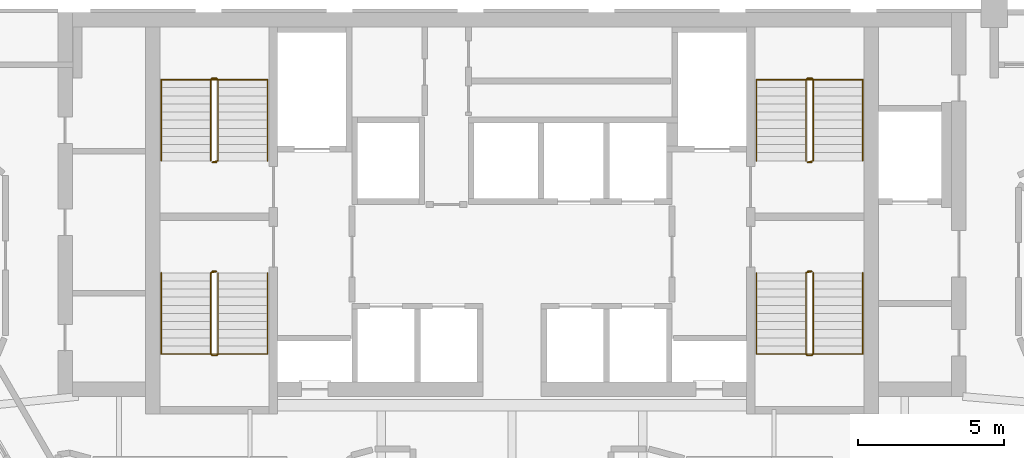
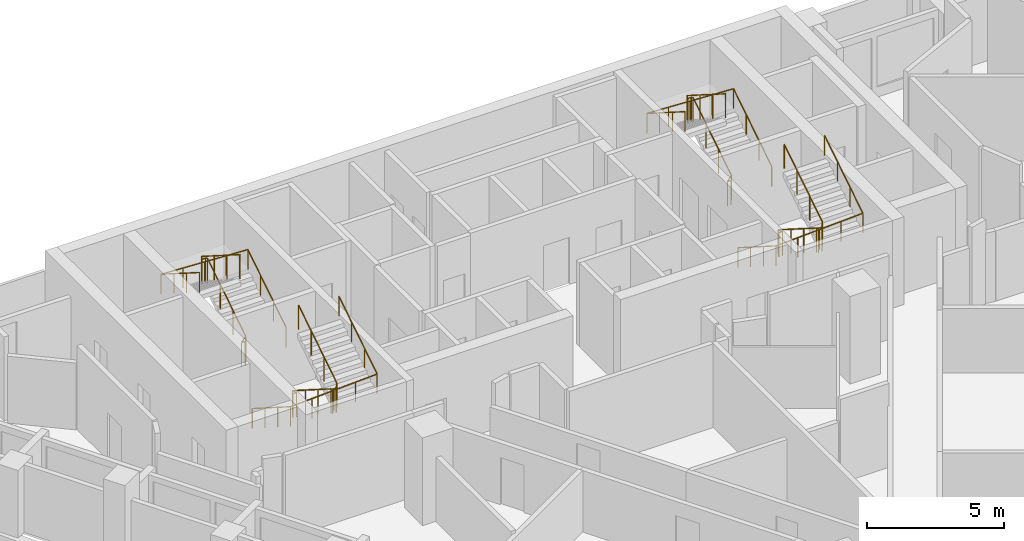
# One storey, part 10 of 10: 8 railings.
"""IFC4 building model written with IfcOpenShell, lengths in metres."""

from ifc_helpers import new_model, si_unit, direction, frame, origin, origin_2d, place, context, subcontext, project, spatial, circle, extrude, material, type_object, element, save


model = new_model("IFC4")

# Units and contexts
model_context = context("Model", 3, precision=1e-05, world=origin(), true_north=direction((0.0, 1.0)))
body_context = subcontext(model_context, "Body", "Model", "MODEL_VIEW")
ifc_project = project(units=[si_unit("LENGTHUNIT", "METRE"), si_unit("AREAUNIT", "SQUARE_METRE"), si_unit("VOLUMEUNIT", "CUBIC_METRE"), si_unit("PLANEANGLEUNIT", "RADIAN"), si_unit("MASSUNIT", "GRAM", prefix="KILO")], contexts=[model_context])

# Site, building, storey
site_placement = place(None, origin())
site = spatial("IfcSite", under=ifc_project, at=site_placement, CompositionType="ELEMENT")
building_placement = place(site_placement, origin())
building = spatial("IfcBuilding", under=site, at=building_placement, Name="Calabash Gate Tower", CompositionType="ELEMENT")
storey_placement = place(building_placement, frame((0.0, 0.0, 183.60009765625)))
storey = spatial("IfcBuildingStorey", under=building, at=storey_placement, Name="L43", CompositionType="ELEMENT", Elevation=183.60009765625)

# Railings
ifc_material_1 = material(Name="Black powder-coated steel balusters", Category="steel")
railing_type_1 = type_object("IfcRailingType", Name="Stair guard RL1100", PredefinedType="GUARDRAIL", material=ifc_material_1)
railing_1_placement = place(storey_placement, frame((-10.14990234375, 13.902587890625, 0.0)))
element("IfcRailing", 1, at=railing_1_placement, inside=storey, type_object=railing_type_1, Name="L43 ST1 stair guard 1", PredefinedType="GUARDRAIL", context=body_context, shape_type="SweptSolid", body=[
    extrude(circle(Radius=0.02392578125, at=origin_2d()), frame((0.0, 0.0, 1.076171875), z_axis=(-1.0, 0.0, 0.0), x_axis=(0.0, -1.0, 0.0)), (0.0, 0.0, 1.0), 0.150146484375),
    extrude(circle(Radius=0.02392578125, at=origin_2d()), frame((-0.150146484375, 0.0, 1.076171875), z_axis=(0.735524641326, 0.184105679453, 0.652003528208), x_axis=(-0.242814311512, 0.970072785993, 0.0)), (0.0, 0.0, 1.0), 0.271728515625),
    extrude(circle(Radius=0.02392578125, at=origin_2d()), frame((0.0498046875, 0.050048828125, 1.25341796875), z_axis=(0.0, 0.844041424197, 0.536277982245), x_axis=(-1.0, 0.0, 0.0)), (0.0, 0.0, 1.0), 3.3056640625),
    extrude(circle(Radius=0.02392578125, at=origin_2d()), frame((0.0498046875, 2.840087890625, 3.02587890625), z_axis=(-0.707106781187, 0.707106781187, 0.0), x_axis=(-0.707106781187, -0.707106781187, 0.0)), (0.0, 0.0, 1.0), 0.0703125),
    extrude(circle(Radius=0.02392578125, at=origin_2d()), frame((0.0, 2.889892578125, 3.02587890625), z_axis=(-1.0, 0.0, 0.0), x_axis=(0.0, -1.0, 0.0)), (0.0, 0.0, 1.0), 0.150146484375),
    extrude(circle(Radius=0.02392578125, at=origin_2d()), frame((-0.150146484375, 2.889892578125, 3.02587890625), z_axis=(-0.262321481514, -0.261041864531, 0.929001929653), x_axis=(0.705375805398, -0.708833529934, 0.0)), (0.0, 0.0, 1.0), 0.190673828125),
    extrude(circle(Radius=0.02392578125, at=origin_2d()), frame((-0.2001953125, 2.840087890625, 3.203125), z_axis=(0.0, -0.844041424197, 0.536277982245), x_axis=(1.0, 0.0, 0.0)), (0.0, 0.0, 1.0), 3.3056640625),
    extrude(circle(Radius=0.02099609375, at=origin_2d()), origin(), (0.0, 0.0, 1.0), 1.052001953125),
    extrude(circle(Radius=0.02099609375, at=origin_2d()), frame((-0.150146484375, 0.0, 0.0)), (0.0, 0.0, 1.0), 1.052001953125),
    extrude(circle(Radius=0.02099609375, at=origin_2d()), frame((0.0498046875, 0.050048828125, 0.17724609375)), (0.0, 0.0, 1.0), 1.052001953125),
    extrude(circle(Radius=0.02099609375, at=origin_2d()), frame((0.0498046875, 0.97998046875, 0.76806640625)), (0.0, 0.0, 1.0), 1.052001953125),
    extrude(circle(Radius=0.02099609375, at=origin_2d()), frame((0.0498046875, 1.91015625, 1.359130859375)), (0.0, 0.0, 1.0), 1.052001953125),
    extrude(circle(Radius=0.02099609375, at=origin_2d()), frame((0.0498046875, 2.840087890625, 1.949951171875)), (0.0, 0.0, 1.0), 1.052001953125),
    extrude(circle(Radius=0.02099609375, at=origin_2d()), frame((0.0, 2.889892578125, 1.949951171875)), (0.0, 0.0, 1.0), 1.052001953125),
    extrude(circle(Radius=0.02099609375, at=origin_2d()), frame((-0.150146484375, 2.889892578125, 1.949951171875)), (0.0, 0.0, 1.0), 1.052001953125),
    extrude(circle(Radius=0.02099609375, at=origin_2d()), frame((-0.2001953125, 2.840087890625, 2.127197265625)), (0.0, 0.0, 1.0), 1.052001953125),
    extrude(circle(Radius=0.02099609375, at=origin_2d()), frame((-0.2001953125, 1.91015625, 2.718017578125)), (0.0, 0.0, 1.0), 1.052001953125),
    extrude(circle(Radius=0.02099609375, at=origin_2d()), frame((-0.2001953125, 0.97998046875, 3.30908203125)), (0.0, 0.0, 1.0), 1.052001953125),
    extrude(circle(Radius=0.02099609375, at=origin_2d()), frame((-0.2001953125, 0.050048828125, 3.89990234375)), (0.0, 0.0, 1.0), 1.052001953125),
])
railing_2_placement = place(storey_placement, frame((-10.300048828125, 10.152587890625, 0.0)))
element("IfcRailing", 2, at=railing_2_placement, inside=storey, type_object=railing_type_1, Name="L43 ST2 stair guard 1", PredefinedType="GUARDRAIL", context=body_context, shape_type="SweptSolid", body=[
    extrude(circle(Radius=0.02392578125, at=origin_2d()), frame((0.0, 0.0, 1.076171875), z_axis=(1.0, 0.0, 0.0), x_axis=(0.0, 1.0, 0.0)), (0.0, 0.0, 1.0), 0.150146484375),
    extrude(circle(Radius=0.02392578125, at=origin_2d()), frame((0.150146484375, 0.0, 1.076171875), z_axis=(-0.735936453418, -0.183984113355, 0.651573006319), x_axis=(0.242535625036, -0.970142500145, 0.0)), (0.0, 0.0, 1.0), 0.27197265625),
    extrude(circle(Radius=0.02392578125, at=origin_2d()), frame((-0.050048828125, -0.050048828125, 1.25341796875), z_axis=(0.0, -0.844041424197, 0.536277982245), x_axis=(1.0, 0.0, 0.0)), (0.0, 0.0, 1.0), 3.3056640625),
    extrude(circle(Radius=0.02392578125, at=origin_2d()), frame((-0.050048828125, -2.840087890625, 3.02587890625), z_axis=(0.708833529934, -0.705375805398, 0.0), x_axis=(0.705375805398, 0.708833529934, 0.0)), (0.0, 0.0, 1.0), 0.070556640625),
    extrude(circle(Radius=0.02392578125, at=origin_2d()), frame((0.0, -2.889892578125, 3.02587890625), z_axis=(1.0, 0.0, 0.0), x_axis=(0.0, 1.0, 0.0)), (0.0, 0.0, 1.0), 0.150146484375),
    extrude(circle(Radius=0.02392578125, at=origin_2d()), frame((0.150146484375, -2.889892578125, 3.02587890625), z_axis=(0.261129318932, 0.261129318932, 0.929313164433), x_axis=(-0.707106781187, 0.707106781187, 0.0)), (0.0, 0.0, 1.0), 0.190673828125),
    extrude(circle(Radius=0.02392578125, at=origin_2d()), frame((0.199951171875, -2.840087890625, 3.203125), z_axis=(0.0, 0.844041424197, 0.536277982245), x_axis=(-1.0, 0.0, 0.0)), (0.0, 0.0, 1.0), 3.3056640625),
    extrude(circle(Radius=0.02099609375, at=origin_2d()), origin(), (0.0, 0.0, 1.0), 1.052001953125),
    extrude(circle(Radius=0.02099609375, at=origin_2d()), frame((0.150146484375, 0.0, 0.0)), (0.0, 0.0, 1.0), 1.052001953125),
    extrude(circle(Radius=0.02099609375, at=origin_2d()), frame((-0.050048828125, -0.050048828125, 0.17724609375)), (0.0, 0.0, 1.0), 1.052001953125),
    extrude(circle(Radius=0.02099609375, at=origin_2d()), frame((-0.050048828125, -0.97998046875, 0.76806640625)), (0.0, 0.0, 1.0), 1.052001953125),
    extrude(circle(Radius=0.02099609375, at=origin_2d()), frame((-0.050048828125, -1.91015625, 1.359130859375)), (0.0, 0.0, 1.0), 1.052001953125),
    extrude(circle(Radius=0.02099609375, at=origin_2d()), frame((-0.050048828125, -2.840087890625, 1.949951171875)), (0.0, 0.0, 1.0), 1.052001953125),
    extrude(circle(Radius=0.02099609375, at=origin_2d()), frame((0.0, -2.889892578125, 1.949951171875)), (0.0, 0.0, 1.0), 1.052001953125),
    extrude(circle(Radius=0.02099609375, at=origin_2d()), frame((0.150146484375, -2.889892578125, 1.949951171875)), (0.0, 0.0, 1.0), 1.052001953125),
    extrude(circle(Radius=0.02099609375, at=origin_2d()), frame((0.199951171875, -2.840087890625, 2.127197265625)), (0.0, 0.0, 1.0), 1.052001953125),
    extrude(circle(Radius=0.02099609375, at=origin_2d()), frame((0.199951171875, -1.91015625, 2.718017578125)), (0.0, 0.0, 1.0), 1.052001953125),
    extrude(circle(Radius=0.02099609375, at=origin_2d()), frame((0.199951171875, -0.97998046875, 3.30908203125)), (0.0, 0.0, 1.0), 1.052001953125),
    extrude(circle(Radius=0.02099609375, at=origin_2d()), frame((0.199951171875, -0.050048828125, 3.89990234375)), (0.0, 0.0, 1.0), 1.052001953125),
])
railing_3_placement = place(storey_placement, frame((10.300048828125, 13.902587890625, 0.0)))
element("IfcRailing", 3, at=railing_3_placement, inside=storey, type_object=railing_type_1, Name="L43 ST3 stair guard 1", PredefinedType="GUARDRAIL", context=body_context, shape_type="SweptSolid", body=[
    extrude(circle(Radius=0.02392578125, at=origin_2d()), frame((0.0, 0.0, 1.076171875), z_axis=(-1.0, 0.0, 0.0), x_axis=(0.0, -1.0, 0.0)), (0.0, 0.0, 1.0), 0.150146484375),
    extrude(circle(Radius=0.02392578125, at=origin_2d()), frame((-0.150146484375, 0.0, 1.076171875), z_axis=(0.735936453418, 0.183984113355, 0.651573006319), x_axis=(-0.242535625036, 0.970142500145, 0.0)), (0.0, 0.0, 1.0), 0.27197265625),
    extrude(circle(Radius=0.02392578125, at=origin_2d()), frame((0.050048828125, 0.050048828125, 1.25341796875), z_axis=(0.0, 0.844041424197, 0.536277982245), x_axis=(-1.0, 0.0, 0.0)), (0.0, 0.0, 1.0), 3.3056640625),
    extrude(circle(Radius=0.02392578125, at=origin_2d()), frame((0.050048828125, 2.840087890625, 3.02587890625), z_axis=(-0.708833529934, 0.705375805398, 0.0), x_axis=(-0.705375805398, -0.708833529934, 0.0)), (0.0, 0.0, 1.0), 0.070556640625),
    extrude(circle(Radius=0.02392578125, at=origin_2d()), frame((0.0, 2.889892578125, 3.02587890625), z_axis=(-1.0, 0.0, 0.0), x_axis=(0.0, -1.0, 0.0)), (0.0, 0.0, 1.0), 0.150146484375),
    extrude(circle(Radius=0.02392578125, at=origin_2d()), frame((-0.150146484375, 2.889892578125, 3.02587890625), z_axis=(-0.261129318932, -0.261129318932, 0.929313164433), x_axis=(0.707106781187, -0.707106781187, 0.0)), (0.0, 0.0, 1.0), 0.190673828125),
    extrude(circle(Radius=0.02392578125, at=origin_2d()), frame((-0.199951171875, 2.840087890625, 3.203125), z_axis=(0.0, -0.844041424197, 0.536277982245), x_axis=(1.0, 0.0, 0.0)), (0.0, 0.0, 1.0), 3.3056640625),
    extrude(circle(Radius=0.02099609375, at=origin_2d()), origin(), (0.0, 0.0, 1.0), 1.052001953125),
    extrude(circle(Radius=0.02099609375, at=origin_2d()), frame((-0.150146484375, 0.0, 0.0)), (0.0, 0.0, 1.0), 1.052001953125),
    extrude(circle(Radius=0.02099609375, at=origin_2d()), frame((0.050048828125, 0.050048828125, 0.17724609375)), (0.0, 0.0, 1.0), 1.052001953125),
    extrude(circle(Radius=0.02099609375, at=origin_2d()), frame((0.050048828125, 0.97998046875, 0.76806640625)), (0.0, 0.0, 1.0), 1.052001953125),
    extrude(circle(Radius=0.02099609375, at=origin_2d()), frame((0.050048828125, 1.91015625, 1.359130859375)), (0.0, 0.0, 1.0), 1.052001953125),
    extrude(circle(Radius=0.02099609375, at=origin_2d()), frame((0.050048828125, 2.840087890625, 1.949951171875)), (0.0, 0.0, 1.0), 1.052001953125),
    extrude(circle(Radius=0.02099609375, at=origin_2d()), frame((0.0, 2.889892578125, 1.949951171875)), (0.0, 0.0, 1.0), 1.052001953125),
    extrude(circle(Radius=0.02099609375, at=origin_2d()), frame((-0.150146484375, 2.889892578125, 1.949951171875)), (0.0, 0.0, 1.0), 1.052001953125),
    extrude(circle(Radius=0.02099609375, at=origin_2d()), frame((-0.199951171875, 2.840087890625, 2.127197265625)), (0.0, 0.0, 1.0), 1.052001953125),
    extrude(circle(Radius=0.02099609375, at=origin_2d()), frame((-0.199951171875, 1.91015625, 2.718017578125)), (0.0, 0.0, 1.0), 1.052001953125),
    extrude(circle(Radius=0.02099609375, at=origin_2d()), frame((-0.199951171875, 0.97998046875, 3.30908203125)), (0.0, 0.0, 1.0), 1.052001953125),
    extrude(circle(Radius=0.02099609375, at=origin_2d()), frame((-0.199951171875, 0.050048828125, 3.89990234375)), (0.0, 0.0, 1.0), 1.052001953125),
])
railing_4_placement = place(storey_placement, frame((10.14990234375, 10.152587890625, 0.0)))
element("IfcRailing", 4, at=railing_4_placement, inside=storey, type_object=railing_type_1, Name="L43 ST4 stair guard 1", PredefinedType="GUARDRAIL", context=body_context, shape_type="SweptSolid", body=[
    extrude(circle(Radius=0.02392578125, at=origin_2d()), frame((0.0, 0.0, 1.076171875), z_axis=(1.0, 0.0, 0.0), x_axis=(0.0, 1.0, 0.0)), (0.0, 0.0, 1.0), 0.150146484375),
    extrude(circle(Radius=0.02392578125, at=origin_2d()), frame((0.150146484375, 0.0, 1.076171875), z_axis=(-0.735524641326, -0.184105679453, 0.652003528208), x_axis=(0.242814311512, -0.970072785993, 0.0)), (0.0, 0.0, 1.0), 0.271728515625),
    extrude(circle(Radius=0.02392578125, at=origin_2d()), frame((-0.0498046875, -0.050048828125, 1.25341796875), z_axis=(0.0, -0.844041424197, 0.536277982245), x_axis=(1.0, 0.0, 0.0)), (0.0, 0.0, 1.0), 3.3056640625),
    extrude(circle(Radius=0.02392578125, at=origin_2d()), frame((-0.0498046875, -2.840087890625, 3.02587890625), z_axis=(0.707106781187, -0.707106781187, 0.0), x_axis=(0.707106781187, 0.707106781187, 0.0)), (0.0, 0.0, 1.0), 0.0703125),
    extrude(circle(Radius=0.02392578125, at=origin_2d()), frame((0.0, -2.889892578125, 3.02587890625), z_axis=(1.0, 0.0, 0.0), x_axis=(0.0, 1.0, 0.0)), (0.0, 0.0, 1.0), 0.150146484375),
    extrude(circle(Radius=0.02392578125, at=origin_2d()), frame((0.150146484375, -2.889892578125, 3.02587890625), z_axis=(0.262321481514, 0.261041864531, 0.929001929653), x_axis=(-0.705375805398, 0.708833529934, 0.0)), (0.0, 0.0, 1.0), 0.190673828125),
    extrude(circle(Radius=0.02392578125, at=origin_2d()), frame((0.2001953125, -2.840087890625, 3.203125), z_axis=(0.0, 0.844041424197, 0.536277982245), x_axis=(-1.0, 0.0, 0.0)), (0.0, 0.0, 1.0), 3.3056640625),
    extrude(circle(Radius=0.02099609375, at=origin_2d()), origin(), (0.0, 0.0, 1.0), 1.052001953125),
    extrude(circle(Radius=0.02099609375, at=origin_2d()), frame((0.150146484375, 0.0, 0.0)), (0.0, 0.0, 1.0), 1.052001953125),
    extrude(circle(Radius=0.02099609375, at=origin_2d()), frame((-0.0498046875, -0.050048828125, 0.17724609375)), (0.0, 0.0, 1.0), 1.052001953125),
    extrude(circle(Radius=0.02099609375, at=origin_2d()), frame((-0.0498046875, -0.97998046875, 0.76806640625)), (0.0, 0.0, 1.0), 1.052001953125),
    extrude(circle(Radius=0.02099609375, at=origin_2d()), frame((-0.0498046875, -1.91015625, 1.359130859375)), (0.0, 0.0, 1.0), 1.052001953125),
    extrude(circle(Radius=0.02099609375, at=origin_2d()), frame((-0.0498046875, -2.840087890625, 1.949951171875)), (0.0, 0.0, 1.0), 1.052001953125),
    extrude(circle(Radius=0.02099609375, at=origin_2d()), frame((0.0, -2.889892578125, 1.949951171875)), (0.0, 0.0, 1.0), 1.052001953125),
    extrude(circle(Radius=0.02099609375, at=origin_2d()), frame((0.150146484375, -2.889892578125, 1.949951171875)), (0.0, 0.0, 1.0), 1.052001953125),
    extrude(circle(Radius=0.02099609375, at=origin_2d()), frame((0.2001953125, -2.840087890625, 2.127197265625)), (0.0, 0.0, 1.0), 1.052001953125),
    extrude(circle(Radius=0.02099609375, at=origin_2d()), frame((0.2001953125, -1.91015625, 2.718017578125)), (0.0, 0.0, 1.0), 1.052001953125),
    extrude(circle(Radius=0.02099609375, at=origin_2d()), frame((0.2001953125, -0.97998046875, 3.30908203125)), (0.0, 0.0, 1.0), 1.052001953125),
    extrude(circle(Radius=0.02099609375, at=origin_2d()), frame((0.2001953125, -0.050048828125, 3.89990234375)), (0.0, 0.0, 1.0), 1.052001953125),
])
ifc_material_2 = material(Name="Black powder-coated steel tube 48 mm", Category="steel")
railing_type_2 = type_object("IfcRailingType", Name="Stair handrail RL900", PredefinedType="HANDRAIL", material=ifc_material_2)
railing_5_placement = place(storey_placement, frame((-8.39990234375, 13.95263671875, 0.17724609375)))
element("IfcRailing", 5, at=railing_5_placement, inside=storey, type_object=railing_type_2, Name="L43 ST1 stair handrail 1", PredefinedType="HANDRAIL", context=body_context, shape_type="SweptSolid", body=[
    extrude(circle(Radius=0.02392578125, at=origin_2d()), frame((0.0, 0.0, 0.8759765625), z_axis=(0.0, 0.844041424197, 0.536277982245), x_axis=(-1.0, 0.0, 0.0)), (0.0, 0.0, 1.0), 3.3056640625),
    extrude(circle(Radius=0.02392578125, at=origin_2d()), frame((0.0, 2.7900390625, 2.6484375), z_axis=(-0.998823110844, 0.0, 0.048501476722), x_axis=(0.0, -1.0, 0.0)), (0.0, 0.0, 1.0), 3.654541015625),
    extrude(circle(Radius=0.02392578125, at=origin_2d()), frame((-3.650146484375, 2.7900390625, 2.82568359375), z_axis=(0.0, -0.844041424197, 0.536277982245), x_axis=(1.0, 0.0, 0.0)), (0.0, 0.0, 1.0), 3.3056640625),
    extrude(circle(Radius=0.02099609375, at=origin_2d()), origin(), (0.0, 0.0, 1.0), 0.851806640625),
    extrude(circle(Radius=0.02099609375, at=origin_2d()), frame((0.0, 0.929931640625, 0.5908203125)), (0.0, 0.0, 1.0), 0.851806640625),
    extrude(circle(Radius=0.02099609375, at=origin_2d()), frame((0.0, 1.860107421875, 1.181884765625)), (0.0, 0.0, 1.0), 0.851806640625),
    extrude(circle(Radius=0.02099609375, at=origin_2d()), frame((0.0, 2.7900390625, 1.772705078125)), (0.0, 0.0, 1.0), 0.851806640625),
    extrude(circle(Radius=0.02099609375, at=origin_2d()), frame((-0.91259765625, 2.7900390625, 1.81689453125)), (0.0, 0.0, 1.0), 0.851806640625),
    extrude(circle(Radius=0.02099609375, at=origin_2d()), frame((-1.8251953125, 2.7900390625, 1.861328125)), (0.0, 0.0, 1.0), 0.851806640625),
    extrude(circle(Radius=0.02099609375, at=origin_2d()), frame((-2.737548828125, 2.7900390625, 1.90576171875)), (0.0, 0.0, 1.0), 0.851806640625),
    extrude(circle(Radius=0.02099609375, at=origin_2d()), frame((-3.650146484375, 2.7900390625, 1.949951171875)), (0.0, 0.0, 1.0), 0.851806640625),
    extrude(circle(Radius=0.02099609375, at=origin_2d()), frame((-3.650146484375, 1.860107421875, 2.540771484375)), (0.0, 0.0, 1.0), 0.851806640625),
    extrude(circle(Radius=0.02099609375, at=origin_2d()), frame((-3.650146484375, 0.929931640625, 3.1318359375)), (0.0, 0.0, 1.0), 0.851806640625),
    extrude(circle(Radius=0.02099609375, at=origin_2d()), frame((-3.650146484375, 0.0, 3.72265625)), (0.0, 0.0, 1.0), 0.851806640625),
])
railing_6_placement = place(storey_placement, frame((-12.050048828125, 10.1025390625, 0.17724609375)))
element("IfcRailing", 6, at=railing_6_placement, inside=storey, type_object=railing_type_2, Name="L43 ST2 stair handrail 1", PredefinedType="HANDRAIL", context=body_context, shape_type="SweptSolid", body=[
    extrude(circle(Radius=0.02392578125, at=origin_2d()), frame((0.0, 0.0, 0.8759765625), z_axis=(0.0, -0.844041424197, 0.536277982245), x_axis=(1.0, 0.0, 0.0)), (0.0, 0.0, 1.0), 3.3056640625),
    extrude(circle(Radius=0.02392578125, at=origin_2d()), frame((0.0, -2.7900390625, 2.6484375), z_axis=(0.998823110844, 0.0, 0.048501476722), x_axis=(0.0, 1.0, 0.0)), (0.0, 0.0, 1.0), 3.654541015625),
    extrude(circle(Radius=0.02392578125, at=origin_2d()), frame((3.650146484375, -2.7900390625, 2.82568359375), z_axis=(0.0, 0.844041424197, 0.536277982245), x_axis=(-1.0, 0.0, 0.0)), (0.0, 0.0, 1.0), 3.3056640625),
    extrude(circle(Radius=0.02099609375, at=origin_2d()), origin(), (0.0, 0.0, 1.0), 0.851806640625),
    extrude(circle(Radius=0.02099609375, at=origin_2d()), frame((0.0, -0.929931640625, 0.5908203125)), (0.0, 0.0, 1.0), 0.851806640625),
    extrude(circle(Radius=0.02099609375, at=origin_2d()), frame((0.0, -1.860107421875, 1.181884765625)), (0.0, 0.0, 1.0), 0.851806640625),
    extrude(circle(Radius=0.02099609375, at=origin_2d()), frame((0.0, -2.7900390625, 1.772705078125)), (0.0, 0.0, 1.0), 0.851806640625),
    extrude(circle(Radius=0.02099609375, at=origin_2d()), frame((0.91259765625, -2.7900390625, 1.81689453125)), (0.0, 0.0, 1.0), 0.851806640625),
    extrude(circle(Radius=0.02099609375, at=origin_2d()), frame((1.8251953125, -2.7900390625, 1.861328125)), (0.0, 0.0, 1.0), 0.851806640625),
    extrude(circle(Radius=0.02099609375, at=origin_2d()), frame((2.737548828125, -2.7900390625, 1.90576171875)), (0.0, 0.0, 1.0), 0.851806640625),
    extrude(circle(Radius=0.02099609375, at=origin_2d()), frame((3.650146484375, -2.7900390625, 1.949951171875)), (0.0, 0.0, 1.0), 0.851806640625),
    extrude(circle(Radius=0.02099609375, at=origin_2d()), frame((3.650146484375, -1.860107421875, 2.540771484375)), (0.0, 0.0, 1.0), 0.851806640625),
    extrude(circle(Radius=0.02099609375, at=origin_2d()), frame((3.650146484375, -0.929931640625, 3.1318359375)), (0.0, 0.0, 1.0), 0.851806640625),
    extrude(circle(Radius=0.02099609375, at=origin_2d()), frame((3.650146484375, 0.0, 3.72265625)), (0.0, 0.0, 1.0), 0.851806640625),
])
railing_7_placement = place(storey_placement, frame((12.050048828125, 13.95263671875, 0.17724609375)))
element("IfcRailing", 7, at=railing_7_placement, inside=storey, type_object=railing_type_2, Name="L43 ST3 stair handrail 1", PredefinedType="HANDRAIL", context=body_context, shape_type="SweptSolid", body=[
    extrude(circle(Radius=0.02392578125, at=origin_2d()), frame((0.0, 0.0, 0.8759765625), z_axis=(0.0, 0.844041424197, 0.536277982245), x_axis=(-1.0, 0.0, 0.0)), (0.0, 0.0, 1.0), 3.3056640625),
    extrude(circle(Radius=0.02392578125, at=origin_2d()), frame((0.0, 2.7900390625, 2.6484375), z_axis=(-0.998823110844, 0.0, 0.048501476722), x_axis=(0.0, -1.0, 0.0)), (0.0, 0.0, 1.0), 3.654541015625),
    extrude(circle(Radius=0.02392578125, at=origin_2d()), frame((-3.650146484375, 2.7900390625, 2.82568359375), z_axis=(0.0, -0.844041424197, 0.536277982245), x_axis=(1.0, 0.0, 0.0)), (0.0, 0.0, 1.0), 3.3056640625),
    extrude(circle(Radius=0.02099609375, at=origin_2d()), origin(), (0.0, 0.0, 1.0), 0.851806640625),
    extrude(circle(Radius=0.02099609375, at=origin_2d()), frame((0.0, 0.929931640625, 0.5908203125)), (0.0, 0.0, 1.0), 0.851806640625),
    extrude(circle(Radius=0.02099609375, at=origin_2d()), frame((0.0, 1.860107421875, 1.181884765625)), (0.0, 0.0, 1.0), 0.851806640625),
    extrude(circle(Radius=0.02099609375, at=origin_2d()), frame((0.0, 2.7900390625, 1.772705078125)), (0.0, 0.0, 1.0), 0.851806640625),
    extrude(circle(Radius=0.02099609375, at=origin_2d()), frame((-0.91259765625, 2.7900390625, 1.81689453125)), (0.0, 0.0, 1.0), 0.851806640625),
    extrude(circle(Radius=0.02099609375, at=origin_2d()), frame((-1.8251953125, 2.7900390625, 1.861328125)), (0.0, 0.0, 1.0), 0.851806640625),
    extrude(circle(Radius=0.02099609375, at=origin_2d()), frame((-2.737548828125, 2.7900390625, 1.90576171875)), (0.0, 0.0, 1.0), 0.851806640625),
    extrude(circle(Radius=0.02099609375, at=origin_2d()), frame((-3.650146484375, 2.7900390625, 1.949951171875)), (0.0, 0.0, 1.0), 0.851806640625),
    extrude(circle(Radius=0.02099609375, at=origin_2d()), frame((-3.650146484375, 1.860107421875, 2.540771484375)), (0.0, 0.0, 1.0), 0.851806640625),
    extrude(circle(Radius=0.02099609375, at=origin_2d()), frame((-3.650146484375, 0.929931640625, 3.1318359375)), (0.0, 0.0, 1.0), 0.851806640625),
    extrude(circle(Radius=0.02099609375, at=origin_2d()), frame((-3.650146484375, 0.0, 3.72265625)), (0.0, 0.0, 1.0), 0.851806640625),
])
railing_8_placement = place(storey_placement, frame((8.39990234375, 10.1025390625, 0.17724609375)))
element("IfcRailing", 8, at=railing_8_placement, inside=storey, type_object=railing_type_2, Name="L43 ST4 stair handrail 1", PredefinedType="HANDRAIL", context=body_context, shape_type="SweptSolid", body=[
    extrude(circle(Radius=0.02392578125, at=origin_2d()), frame((0.0, 0.0, 0.8759765625), z_axis=(0.0, -0.844041424197, 0.536277982245), x_axis=(1.0, 0.0, 0.0)), (0.0, 0.0, 1.0), 3.3056640625),
    extrude(circle(Radius=0.02392578125, at=origin_2d()), frame((0.0, -2.7900390625, 2.6484375), z_axis=(0.998823110844, 0.0, 0.048501476722), x_axis=(0.0, 1.0, 0.0)), (0.0, 0.0, 1.0), 3.654541015625),
    extrude(circle(Radius=0.02392578125, at=origin_2d()), frame((3.650146484375, -2.7900390625, 2.82568359375), z_axis=(0.0, 0.844041424197, 0.536277982245), x_axis=(-1.0, 0.0, 0.0)), (0.0, 0.0, 1.0), 3.3056640625),
    extrude(circle(Radius=0.02099609375, at=origin_2d()), origin(), (0.0, 0.0, 1.0), 0.851806640625),
    extrude(circle(Radius=0.02099609375, at=origin_2d()), frame((0.0, -0.929931640625, 0.5908203125)), (0.0, 0.0, 1.0), 0.851806640625),
    extrude(circle(Radius=0.02099609375, at=origin_2d()), frame((0.0, -1.860107421875, 1.181884765625)), (0.0, 0.0, 1.0), 0.851806640625),
    extrude(circle(Radius=0.02099609375, at=origin_2d()), frame((0.0, -2.7900390625, 1.772705078125)), (0.0, 0.0, 1.0), 0.851806640625),
    extrude(circle(Radius=0.02099609375, at=origin_2d()), frame((0.91259765625, -2.7900390625, 1.81689453125)), (0.0, 0.0, 1.0), 0.851806640625),
    extrude(circle(Radius=0.02099609375, at=origin_2d()), frame((1.8251953125, -2.7900390625, 1.861328125)), (0.0, 0.0, 1.0), 0.851806640625),
    extrude(circle(Radius=0.02099609375, at=origin_2d()), frame((2.737548828125, -2.7900390625, 1.90576171875)), (0.0, 0.0, 1.0), 0.851806640625),
    extrude(circle(Radius=0.02099609375, at=origin_2d()), frame((3.650146484375, -2.7900390625, 1.949951171875)), (0.0, 0.0, 1.0), 0.851806640625),
    extrude(circle(Radius=0.02099609375, at=origin_2d()), frame((3.650146484375, -1.860107421875, 2.540771484375)), (0.0, 0.0, 1.0), 0.851806640625),
    extrude(circle(Radius=0.02099609375, at=origin_2d()), frame((3.650146484375, -0.929931640625, 3.1318359375)), (0.0, 0.0, 1.0), 0.851806640625),
    extrude(circle(Radius=0.02099609375, at=origin_2d()), frame((3.650146484375, 0.0, 3.72265625)), (0.0, 0.0, 1.0), 0.851806640625),
])

save(model, "model.ifc")
